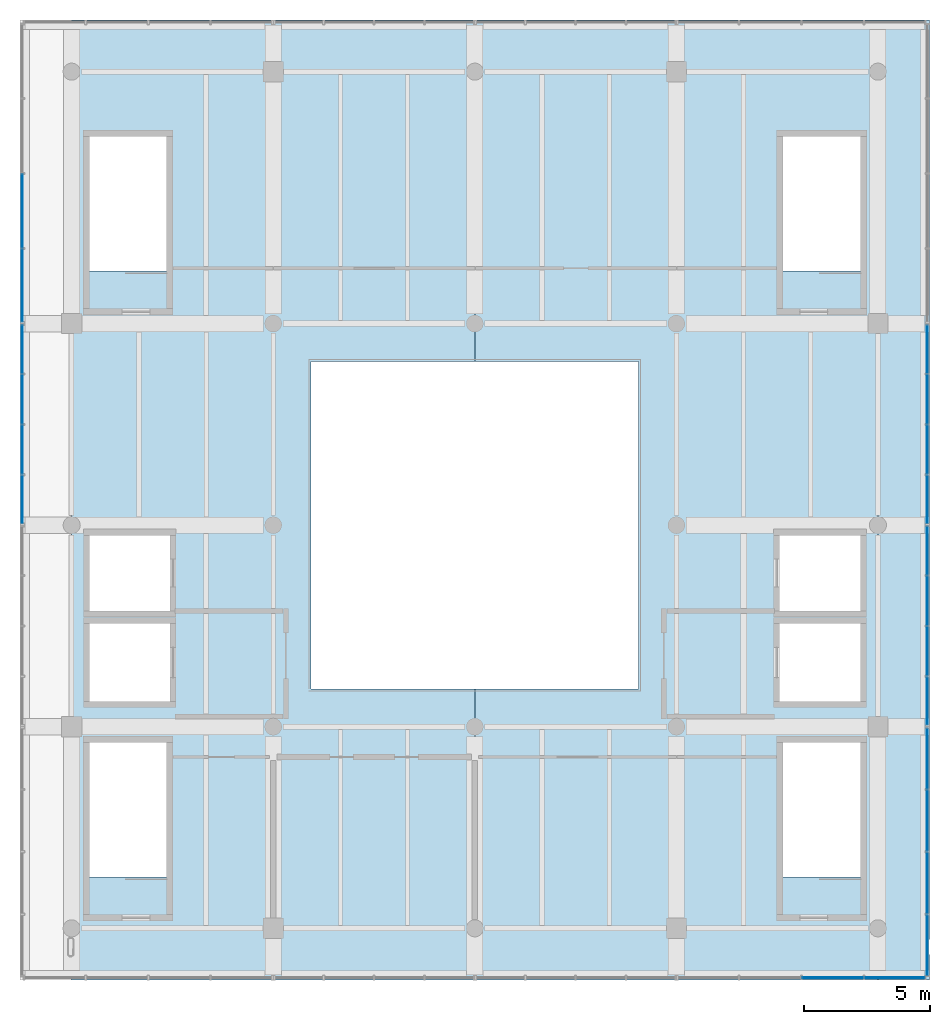
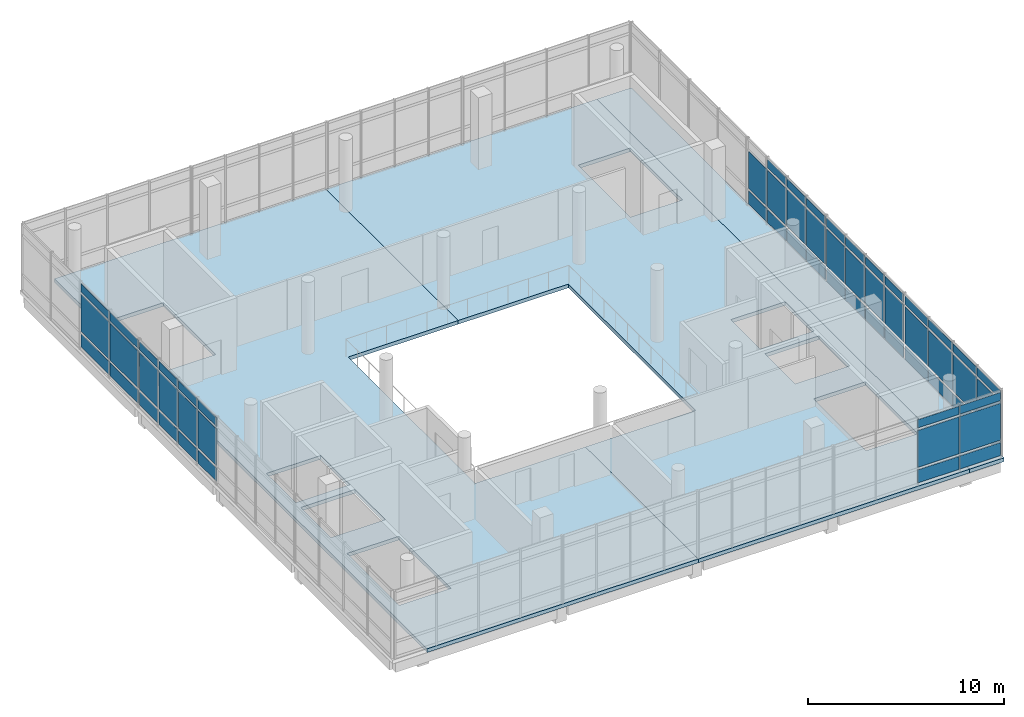
# One storey, part 11 of 15: 59 plates, 3 slabs, 6 elements without a shape of their own.
"""IFC4 building model written with IfcOpenShell, lengths in metres."""

import ifcopenshell
import ifcopenshell.guid

model = None  # the IFC model being written
_history = None  # IfcOwnerHistory: only IFC2X3 demands one
_inside = {}  # id of a spatial element -> (the spatial element, [elements in it])
_under = {}  # id of a project, library or spatial element -> (it, [spatial elements below it])
_declared = {}  # id of a project -> (the project, [libraries it declares])
_typed = {}  # id of a type object -> (the type object, [elements of that type])
_made_of = {}  # id of a material, layer set ... -> (it, [elements and type objects made of it])


def new_model(schema):
    """Start an empty IFC model of exactly this schema.

    Asked for "IFC4X3", IfcOpenShell would pick the latest addendum, in which some entities
    have other attributes; the version numbers below select the first issue.
    IFC2X3 requires an IfcOwnerHistory on every rooted entity: one is made here for all.
    """
    global model, _history
    if schema == "IFC4X3":
        model = ifcopenshell.file(schema_version=(4, 3, 0, 0))
    else:
        model = ifcopenshell.file(schema=schema)
    _inside.clear()
    _under.clear()
    _declared.clear()
    _typed.clear()
    _made_of.clear()
    _history = None
    if model.schema == "IFC2X3":
        org = make("IfcOrganization", Name="unknown")
        user = make(
            "IfcPersonAndOrganization",
            ThePerson=make("IfcPerson", FamilyName="unknown"),
            TheOrganization=org,
        )
        app = make(
            "IfcApplication",
            ApplicationDeveloper=org,
            Version="unknown",
            ApplicationFullName="unknown",
            ApplicationIdentifier="unknown",
        )
        _history = make(
            "IfcOwnerHistory",
            OwningUser=user,
            OwningApplication=app,
            ChangeAction="ADDED",
            CreationDate=0,
        )
    return model


def make(cls, **values):
    """One entity of the class cls with the attributes given. An attribute that is None is left unset."""
    return model.create_entity(
        cls, **{name: value for name, value in values.items() if value is not None}
    )


def rooted(cls, **values):
    """An entity with a GlobalId (a new one), such as an element, a storey or a relation."""
    return make(cls, GlobalId=ifcopenshell.guid.new(), OwnerHistory=_history, **values)


def si_unit(unit_type, name, prefix=None):
    """IfcSIUnit, for example si_unit("LENGTHUNIT", "METRE", prefix="MILLI")."""
    return make("IfcSIUnit", UnitType=unit_type, Prefix=prefix, Name=name)


def assignment(units):
    """IfcUnitAssignment: the units of a project."""
    return None if units is None else make("IfcUnitAssignment", Units=units)


def point(xyz):
    """IfcCartesianPoint."""
    return None if xyz is None else make("IfcCartesianPoint", Coordinates=xyz)


def direction(xyz):
    """IfcDirection."""
    return None if xyz is None else make("IfcDirection", DirectionRatios=xyz)


def frame(location, z_axis=None, x_axis=None):
    """IfcAxis2Placement3D, a coordinate frame: its origin and axes. An axis left out is left unset."""
    return make(
        "IfcAxis2Placement3D",
        Location=point(location),
        Axis=direction(z_axis),
        RefDirection=direction(x_axis),
    )


def frame_2d(location, x_axis=None):
    """IfcAxis2Placement2D, a coordinate frame in the plane: its origin and x axis."""
    return make(
        "IfcAxis2Placement2D", Location=point(location), RefDirection=direction(x_axis)
    )


def origin():
    """The frame at (0, 0, 0) with its axes left unset."""
    return frame((0.0, 0.0, 0.0))


def origin_2d():
    """The frame at (0, 0) in the plane with its x axis left unset."""
    return frame_2d((0.0, 0.0))


def place(relative_to, where):
    """IfcLocalPlacement: puts the frame where relative to a parent placement (None: the world)."""
    return make(
        "IfcLocalPlacement", PlacementRelTo=relative_to, RelativePlacement=where
    )


def context(
    kind, dimensions, precision=None, world=None, true_north=None, identifier=None
):
    """IfcGeometricRepresentationContext, for example the 3D "Model" context."""
    return make(
        "IfcGeometricRepresentationContext",
        ContextIdentifier=identifier,
        ContextType=kind,
        CoordinateSpaceDimension=dimensions,
        Precision=precision,
        WorldCoordinateSystem=world,
        TrueNorth=true_north,
    )


def subcontext(parent, identifier, kind, view, scale=None):
    """IfcGeometricRepresentationSubContext, for example "Body" below "Model"."""
    return make(
        "IfcGeometricRepresentationSubContext",
        ContextIdentifier=identifier,
        ContextType=kind,
        ParentContext=parent,
        TargetScale=scale,
        TargetView=view,
    )


def project(units=None, contexts=None):
    """IfcProject with its units and contexts."""
    return rooted(
        "IfcProject",
        Name="project",
        RepresentationContexts=contexts,
        UnitsInContext=assignment(units),
    )


def spatial(cls, under=None, at=None, **own):
    """A site, building, storey or space (cls), placed at a placement, below another one or the project."""
    s = rooted(cls, ObjectPlacement=at, **own)
    if under is not None:
        _under.setdefault(under.id(), (under, []))[1].append(s)
    return s


def polyline(points):
    """IfcPolyline through the points."""
    return make("IfcPolyline", Points=[point(p) for p in points])


def profile(cls, at=None, kind="AREA", **sizes):
    """A parametric profile (cls). Its sizes go by their IFC names, for example OverallWidth=200.0."""
    return make(cls, ProfileType=kind, Position=at, **sizes)


def rectangle(**sizes):
    """IfcRectangleProfileDef."""
    return profile("IfcRectangleProfileDef", **sizes)


def outline(outer, holes=None, kind="AREA"):
    """IfcArbitraryClosedProfileDef: a profile drawn as a closed curve; with holes, ...WithVoids."""
    if holes is None:
        return make("IfcArbitraryClosedProfileDef", ProfileType=kind, OuterCurve=outer)
    return make(
        "IfcArbitraryProfileDefWithVoids",
        ProfileType=kind,
        OuterCurve=outer,
        InnerCurves=holes,
    )


def extrude(swept, where, along, depth):
    """IfcExtrudedAreaSolid: the profile swept, set in the frame where, extruded along a direction by depth."""
    return make(
        "IfcExtrudedAreaSolid",
        SweptArea=swept,
        Position=where,
        ExtrudedDirection=direction(along),
        Depth=depth,
    )


def shape(context_of_items, identifier, shape_type, items):
    """IfcShapeRepresentation: the items that make up one representation, for example the "Body"."""
    return make(
        "IfcShapeRepresentation",
        ContextOfItems=context_of_items,
        RepresentationIdentifier=identifier,
        RepresentationType=shape_type,
        Items=items,
    )


def material(Name=None, Category=None):
    """IfcMaterial."""
    return make("IfcMaterial", Name=Name, Category=Category)


def layer(
    of_material, thickness, ventilated=None, Name=None, Category=None, Priority=None
):
    """IfcMaterialLayer: one layer of a wall or slab, of a material (None: an air gap)."""
    return make(
        "IfcMaterialLayer",
        Material=of_material,
        LayerThickness=thickness,
        IsVentilated=ventilated,
        Name=Name,
        Category=Category,
        Priority=Priority,
    )


def layer_set(layers, Name=None):
    """IfcMaterialLayerSet."""
    return make("IfcMaterialLayerSet", MaterialLayers=layers, LayerSetName=Name)


def made_of(thing, what):
    """Note that an element or type object is made of a material, layer set ...; save() writes the relation."""
    if what is not None:
        _made_of.setdefault(what.id(), (what, []))[1].append(thing)
    return thing


def type_object(cls, material=None, **own):
    """A type object (cls), such as IfcWallType, which elements share."""
    return made_of(rooted(cls, **own), material)


def element(
    cls,
    number,
    at=None,
    inside=None,
    cuts=None,
    type_object=None,
    material=None,
    context=None,
    identifier="Body",
    shape_type=None,
    held_by="IfcProductDefinitionShape",
    body=None,
    shapes=None,
    **own,
):
    """One element of the class cls, such as IfcWall. Its Tag is "e" and its number.

    at: its placement. inside: the storey or other place that contains it. cuts: it is an
    opening in that element (IfcRelVoidsElement). A single representation is given by context,
    identifier, shape_type and body (its items); several are given by shapes. held_by: the class
    of the entity that holds the representations. save() writes the other relations.
    """
    e = rooted(cls, Tag="e%d" % number, ObjectPlacement=at, **own)
    if body is not None:
        shapes = [shape(context, identifier, shape_type, body)]
    if shapes is not None:
        e.Representation = make(held_by, Representations=shapes)
    if inside is not None:
        _inside.setdefault(inside.id(), (inside, []))[1].append(e)
    if cuts is not None:
        rooted(
            "IfcRelVoidsElement", RelatingBuildingElement=cuts, RelatedOpeningElement=e
        )
    if type_object is not None:
        _typed.setdefault(type_object.id(), (type_object, []))[1].append(e)
    return made_of(e, material)


def aggregate(whole, parts):
    """IfcRelAggregates: a whole, such as a stair, and the parts it consists of."""
    return rooted("IfcRelAggregates", RelatingObject=whole, RelatedObjects=parts)


def save(model, path):
    """Write the relations noted so far, then the file.

    IfcRelAggregates (storeys below a building ...), IfcRelContainedInSpatialStructure (elements
    in a storey), IfcRelDefinesByType, IfcRelAssociatesMaterial and IfcRelDeclares: one each for
    every whole, place, type object, material and project.
    """
    for whole, parts in _under.values():
        aggregate(whole, parts)
    for where, things in _inside.values():
        rooted(
            "IfcRelContainedInSpatialStructure",
            RelatedElements=things,
            RelatingStructure=where,
        )
    for kind, things in _typed.values():
        rooted("IfcRelDefinesByType", RelatedObjects=things, RelatingType=kind)
    for what, things in _made_of.values():
        rooted("IfcRelAssociatesMaterial", RelatedObjects=things, RelatingMaterial=what)
    for by, libraries in _declared.values():
        rooted("IfcRelDeclares", RelatingContext=by, RelatedDefinitions=libraries)
    model.write(path)


model = new_model("IFC4")

# Units and contexts
model_context = context("Model", 3, precision=1e-05, world=origin(), true_north=direction((0.0, 1.0)))
body_context = subcontext(model_context, "Body", "Model", "MODEL_VIEW")
ifc_project = project(units=[si_unit("LENGTHUNIT", "METRE"), si_unit("AREAUNIT", "SQUARE_METRE"), si_unit("VOLUMEUNIT", "CUBIC_METRE"), si_unit("PLANEANGLEUNIT", "RADIAN"), si_unit("MASSUNIT", "GRAM", prefix="KILO")], contexts=[model_context])

# Site, building, storey
site_placement = place(None, origin())
site = spatial("IfcSite", under=ifc_project, at=site_placement, CompositionType="ELEMENT")
building_placement = place(site_placement, origin())
building = spatial("IfcBuilding", under=site, at=building_placement, Name="Pecanmere Concourse Central Library", CompositionType="ELEMENT")
storey_placement = place(building_placement, frame((0.0, 0.0, 30.300048828125)))
storey = spatial("IfcBuildingStorey", under=building, at=storey_placement, Name="L07", CompositionType="ELEMENT", Elevation=30.300048828125)

# Curtain wall, plates
ifc_material_1 = material(Name="Anodized bronze aluminium alloy 6063-T6", Category="aluminium")
curtain_wall_type = type_object("IfcCurtainWallType", Name="CW_PLUMB_BANDED", PredefinedType="USERDEFINED", material=ifc_material_1)
curtain_wall_1_placement = place(storey_placement, origin())
curtain_wall_1 = element("IfcCurtainWall", 1, at=curtain_wall_1_placement, inside=storey, type_object=curtain_wall_type, Name="Unitised Curtain Wall CW-02 L07-092", ObjectType="UNITISED CURTAIN WALL", PredefinedType="USERDEFINED")
ifc_material_2 = material(Name="White ceramic-fritted insulated spandrel glazing", Category="glass")
ifc_layer_1 = layer(ifc_material_2, 0.053955078125, Name="CWP_SPN_54")
ifc_layer_set_1 = layer_set([ifc_layer_1], Name="White ceramic-fritted insulated spandrel glazing")
plate_type_1 = type_object("IfcPlateType", Name="CWP_SPN_54", PredefinedType="CURTAIN_PANEL", material=ifc_layer_set_1)
plate_1_placement = place(storey_placement, frame((102.202880859375, 88.03857421875, 0.159912109375), z_axis=(0.0, 0.0, 1.0), x_axis=(1.0, 0.0, 0.0)))
plate_1 = element("IfcPlate", 2, at=plate_1_placement, type_object=plate_type_1, Name="CW-02 Spandrel Panel 3.1", PredefinedType="CURTAIN_PANEL", context=body_context, shape_type="SweptSolid", body=[
    extrude(rectangle(XDim=2.4140625, YDim=0.035888671875, at=origin_2d()), origin(), (0.0, 0.0, 1.0), 0.81005859375),
])
plate_2_placement = place(storey_placement, frame((104.665771484375, 88.03857421875, 0.159912109375), z_axis=(0.0, 0.0, 1.0), x_axis=(1.0, 0.0, 0.0)))
plate_2 = element("IfcPlate", 3, at=plate_2_placement, type_object=plate_type_1, Name="CW-02 Spandrel Panel 4.1", PredefinedType="CURTAIN_PANEL", context=body_context, shape_type="SweptSolid", body=[
    extrude(rectangle(XDim=2.381591796875, YDim=0.035888671875, at=origin_2d()), origin(), (0.0, 0.0, 1.0), 0.81005859375),
])

curtain_wall_2_placement = place(storey_placement, origin())
curtain_wall_2 = element("IfcCurtainWall", 4, at=curtain_wall_2_placement, inside=storey, type_object=curtain_wall_type, Name="Unitised Curtain Wall CW-02 L07-093", ObjectType="UNITISED CURTAIN WALL", PredefinedType="USERDEFINED")
plate_3_placement = place(storey_placement, frame((105.96142578125, 89.334228515625, 0.159912109375), z_axis=(0.0, 0.0, 1.0), x_axis=(0.0, 1.0, 0.0)))
plate_3 = element("IfcPlate", 5, at=plate_3_placement, type_object=plate_type_1, Name="CW-02 Spandrel Panel 1.1", PredefinedType="CURTAIN_PANEL", context=body_context, shape_type="SweptSolid", body=[
    extrude(rectangle(XDim=2.381591796875, YDim=0.035888671875, at=origin_2d()), origin(), (0.0, 0.0, 1.0), 0.81005859375),
])
plate_4_placement = place(storey_placement, frame((105.96142578125, 91.797119140625, 0.159912109375), z_axis=(0.0, 0.0, 1.0), x_axis=(0.0, 1.0, 0.0)))
plate_4 = element("IfcPlate", 6, at=plate_4_placement, type_object=plate_type_1, Name="CW-02 Spandrel Panel 2.1", PredefinedType="CURTAIN_PANEL", context=body_context, shape_type="SweptSolid", body=[
    extrude(rectangle(XDim=2.4140625, YDim=0.035888671875, at=origin_2d()), origin(), (0.0, 0.0, 1.0), 0.81005859375),
])
plate_5_placement = place(storey_placement, frame((105.96142578125, 94.2763671875, 0.159912109375), z_axis=(0.0, 0.0, 1.0), x_axis=(0.0, 1.0, 0.0)))
plate_5 = element("IfcPlate", 7, at=plate_5_placement, type_object=plate_type_1, Name="CW-02 Spandrel Panel 3.1", PredefinedType="CURTAIN_PANEL", context=body_context, shape_type="SweptSolid", body=[
    extrude(rectangle(XDim=2.4140625, YDim=0.035888671875, at=origin_2d()), origin(), (0.0, 0.0, 1.0), 0.81005859375),
])
plate_6_placement = place(storey_placement, frame((105.96142578125, 96.7392578125, 0.159912109375), z_axis=(0.0, 0.0, 1.0), x_axis=(0.0, 1.0, 0.0)))
plate_6 = element("IfcPlate", 8, at=plate_6_placement, type_object=plate_type_1, Name="CW-02 Spandrel Panel 4.1", PredefinedType="CURTAIN_PANEL", context=body_context, shape_type="SweptSolid", body=[
    extrude(rectangle(XDim=2.381591796875, YDim=0.035888671875, at=origin_2d()), origin(), (0.0, 0.0, 1.0), 0.81005859375),
])

curtain_wall_3_placement = place(storey_placement, origin())
curtain_wall_3 = element("IfcCurtainWall", 9, at=curtain_wall_3_placement, inside=storey, type_object=curtain_wall_type, Name="Unitised Curtain Wall CW-02 L07-094", ObjectType="UNITISED CURTAIN WALL", PredefinedType="USERDEFINED")
plate_7_placement = place(storey_placement, frame((105.96142578125, 99.02001953125, 0.159912109375), z_axis=(0.0, 0.0, 1.0), x_axis=(0.0, 1.0, 0.0)))
plate_7 = element("IfcPlate", 10, at=plate_7_placement, type_object=plate_type_1, Name="CW-02 Spandrel Panel 1.1", PredefinedType="CURTAIN_PANEL", context=body_context, shape_type="SweptSolid", body=[
    extrude(rectangle(XDim=1.89990234375, YDim=0.035888671875, at=origin_2d()), origin(), (0.0, 0.0, 1.0), 0.81005859375),
])
plate_8_placement = place(storey_placement, frame((105.96142578125, 101.001220703125, 0.159912109375), z_axis=(0.0, 0.0, 1.0), x_axis=(0.0, 1.0, 0.0)))
plate_8 = element("IfcPlate", 11, at=plate_8_placement, type_object=plate_type_1, Name="CW-02 Spandrel Panel 2.1", PredefinedType="CURTAIN_PANEL", context=body_context, shape_type="SweptSolid", body=[
    extrude(rectangle(XDim=1.9326171875, YDim=0.035888671875, at=origin_2d()), origin(), (0.0, 0.0, 1.0), 0.81005859375),
])
plate_9_placement = place(storey_placement, frame((105.96142578125, 102.998779296875, 0.159912109375), z_axis=(0.0, 0.0, 1.0), x_axis=(0.0, 1.0, 0.0)))
plate_9 = element("IfcPlate", 12, at=plate_9_placement, type_object=plate_type_1, Name="CW-02 Spandrel Panel 3.1", PredefinedType="CURTAIN_PANEL", context=body_context, shape_type="SweptSolid", body=[
    extrude(rectangle(XDim=1.9326171875, YDim=0.035888671875, at=origin_2d()), origin(), (0.0, 0.0, 1.0), 0.81005859375),
])
plate_10_placement = place(storey_placement, frame((105.96142578125, 104.97998046875, 0.159912109375), z_axis=(0.0, 0.0, 1.0), x_axis=(0.0, 1.0, 0.0)))
plate_10 = element("IfcPlate", 13, at=plate_10_placement, type_object=plate_type_1, Name="CW-02 Spandrel Panel 4.1", PredefinedType="CURTAIN_PANEL", context=body_context, shape_type="SweptSolid", body=[
    extrude(rectangle(XDim=1.89990234375, YDim=0.035888671875, at=origin_2d()), origin(), (0.0, 0.0, 1.0), 0.81005859375),
])

curtain_wall_4_placement = place(storey_placement, origin())
curtain_wall_4 = element("IfcCurtainWall", 14, at=curtain_wall_4_placement, inside=storey, type_object=curtain_wall_type, Name="Unitised Curtain Wall CW-02 L07-095", ObjectType="UNITISED CURTAIN WALL", PredefinedType="USERDEFINED")
plate_11_placement = place(storey_placement, frame((105.96142578125, 107.02001953125, 0.159912109375), z_axis=(0.0, 0.0, 1.0), x_axis=(0.0, 1.0, 0.0)))
plate_11 = element("IfcPlate", 15, at=plate_11_placement, type_object=plate_type_1, Name="CW-02 Spandrel Panel 1.1", PredefinedType="CURTAIN_PANEL", context=body_context, shape_type="SweptSolid", body=[
    extrude(rectangle(XDim=1.89990234375, YDim=0.035888671875, at=origin_2d()), origin(), (0.0, 0.0, 1.0), 0.81005859375),
])
plate_12_placement = place(storey_placement, frame((105.96142578125, 109.001220703125, 0.159912109375), z_axis=(0.0, 0.0, 1.0), x_axis=(0.0, 1.0, 0.0)))
plate_12 = element("IfcPlate", 16, at=plate_12_placement, type_object=plate_type_1, Name="CW-02 Spandrel Panel 2.1", PredefinedType="CURTAIN_PANEL", context=body_context, shape_type="SweptSolid", body=[
    extrude(rectangle(XDim=1.9326171875, YDim=0.035888671875, at=origin_2d()), origin(), (0.0, 0.0, 1.0), 0.81005859375),
])
plate_13_placement = place(storey_placement, frame((105.96142578125, 110.998779296875, 0.159912109375), z_axis=(0.0, 0.0, 1.0), x_axis=(0.0, 1.0, 0.0)))
plate_13 = element("IfcPlate", 17, at=plate_13_placement, type_object=plate_type_1, Name="CW-02 Spandrel Panel 3.1", PredefinedType="CURTAIN_PANEL", context=body_context, shape_type="SweptSolid", body=[
    extrude(rectangle(XDim=1.9326171875, YDim=0.035888671875, at=origin_2d()), origin(), (0.0, 0.0, 1.0), 0.81005859375),
])
plate_14_placement = place(storey_placement, frame((105.96142578125, 112.97998046875, 0.159912109375), z_axis=(0.0, 0.0, 1.0), x_axis=(0.0, 1.0, 0.0)))
plate_14 = element("IfcPlate", 18, at=plate_14_placement, type_object=plate_type_1, Name="CW-02 Spandrel Panel 4.1", PredefinedType="CURTAIN_PANEL", context=body_context, shape_type="SweptSolid", body=[
    extrude(rectangle(XDim=1.89990234375, YDim=0.035888671875, at=origin_2d()), origin(), (0.0, 0.0, 1.0), 0.81005859375),
])

curtain_wall_5_placement = place(storey_placement, origin())
curtain_wall_5 = element("IfcCurtainWall", 19, at=curtain_wall_5_placement, inside=storey, type_object=curtain_wall_type, Name="Unitised Curtain Wall CW-02 L07-097", ObjectType="UNITISED CURTAIN WALL", PredefinedType="USERDEFINED")
plate_15_placement = place(storey_placement, frame((70.03857421875, 118.4736328125, 0.159912109375), z_axis=(0.0, 0.0, 1.0), x_axis=(0.0, -1.0, 0.0)))
plate_15 = element("IfcPlate", 20, at=plate_15_placement, type_object=plate_type_1, Name="CW-02 Spandrel Panel 3.1", PredefinedType="CURTAIN_PANEL", context=body_context, shape_type="SweptSolid", body=[
    extrude(rectangle(XDim=2.9140625, YDim=0.035888671875, at=origin_2d()), origin(), (0.0, 0.0, 1.0), 0.81005859375),
])
plate_16_placement = place(storey_placement, frame((70.03857421875, 115.5107421875, 0.159912109375), z_axis=(0.0, 0.0, 1.0), x_axis=(0.0, -1.0, 0.0)))
plate_16 = element("IfcPlate", 21, at=plate_16_placement, type_object=plate_type_1, Name="CW-02 Spandrel Panel 4.1", PredefinedType="CURTAIN_PANEL", context=body_context, shape_type="SweptSolid", body=[
    extrude(rectangle(XDim=2.881591796875, YDim=0.035888671875, at=origin_2d()), origin(), (0.0, 0.0, 1.0), 0.81005859375),
])

curtain_wall_6_placement = place(storey_placement, origin())
curtain_wall_6 = element("IfcCurtainWall", 22, at=curtain_wall_6_placement, inside=storey, type_object=curtain_wall_type, Name="Unitised Curtain Wall CW-02 L07-098", ObjectType="UNITISED CURTAIN WALL", PredefinedType="USERDEFINED")
plate_17_placement = place(storey_placement, frame((70.03857421875, 112.97998046875, 0.159912109375), z_axis=(0.0, 0.0, 1.0), x_axis=(0.0, -1.0, 0.0)))
plate_17 = element("IfcPlate", 23, at=plate_17_placement, type_object=plate_type_1, Name="CW-02 Spandrel Panel 1.1", PredefinedType="CURTAIN_PANEL", context=body_context, shape_type="SweptSolid", body=[
    extrude(rectangle(XDim=1.89990234375, YDim=0.035888671875, at=origin_2d()), origin(), (0.0, 0.0, 1.0), 0.81005859375),
])
plate_18_placement = place(storey_placement, frame((70.03857421875, 110.998779296875, 0.159912109375), z_axis=(0.0, 0.0, 1.0), x_axis=(0.0, -1.0, 0.0)))
plate_18 = element("IfcPlate", 24, at=plate_18_placement, type_object=plate_type_1, Name="CW-02 Spandrel Panel 2.1", PredefinedType="CURTAIN_PANEL", context=body_context, shape_type="SweptSolid", body=[
    extrude(rectangle(XDim=1.9326171875, YDim=0.035888671875, at=origin_2d()), origin(), (0.0, 0.0, 1.0), 0.81005859375),
])
plate_19_placement = place(storey_placement, frame((70.03857421875, 109.001220703125, 0.159912109375), z_axis=(0.0, 0.0, 1.0), x_axis=(0.0, -1.0, 0.0)))
plate_19 = element("IfcPlate", 25, at=plate_19_placement, type_object=plate_type_1, Name="CW-02 Spandrel Panel 3.1", PredefinedType="CURTAIN_PANEL", context=body_context, shape_type="SweptSolid", body=[
    extrude(rectangle(XDim=1.9326171875, YDim=0.035888671875, at=origin_2d()), origin(), (0.0, 0.0, 1.0), 0.81005859375),
])
plate_20_placement = place(storey_placement, frame((70.03857421875, 107.02001953125, 0.159912109375), z_axis=(0.0, 0.0, 1.0), x_axis=(0.0, -1.0, 0.0)))
plate_20 = element("IfcPlate", 26, at=plate_20_placement, type_object=plate_type_1, Name="CW-02 Spandrel Panel 4.1", PredefinedType="CURTAIN_PANEL", context=body_context, shape_type="SweptSolid", body=[
    extrude(rectangle(XDim=1.89990234375, YDim=0.035888671875, at=origin_2d()), origin(), (0.0, 0.0, 1.0), 0.81005859375),
])

# Plate
ifc_material_3 = material(Name="Low-iron clear insulated glazing", Category="glass")
ifc_layer_2 = layer(ifc_material_3, 0.035888671875, Name="CWP_VIS_36")
ifc_layer_set_2 = layer_set([ifc_layer_2], Name="Low-iron clear insulated glazing")
plate_type_2 = type_object("IfcPlateType", Name="CWP_VIS_36", PredefinedType="CURTAIN_PANEL", material=ifc_layer_set_2)
plate_21_placement = place(storey_placement, frame((102.202880859375, 88.03857421875, 1.1298828125), z_axis=(0.0, 0.0, 1.0), x_axis=(1.0, 0.0, 0.0)))
plate_21 = element("IfcPlate", 27, at=plate_21_placement, type_object=plate_type_2, Name="CW-02 Vision Panel 3.2", PredefinedType="CURTAIN_PANEL", context=body_context, shape_type="SweptSolid", body=[
    extrude(rectangle(XDim=2.4140625, YDim=0.035888671875, at=origin_2d()), origin(), (0.0, 0.0, 1.0), 2.300048828125),
])

plate_22_placement = place(storey_placement, frame((102.202880859375, 88.03857421875, 3.58984375), z_axis=(0.0, 0.0, 1.0), x_axis=(1.0, 0.0, 0.0)))
plate_22 = element("IfcPlate", 28, at=plate_22_placement, type_object=plate_type_2, Name="CW-02 Vision Panel 3.3", PredefinedType="CURTAIN_PANEL", context=body_context, shape_type="SweptSolid", body=[
    extrude(rectangle(XDim=2.4140625, YDim=0.035888671875, at=origin_2d()), origin(), (0.0, 0.0, 1.0), 0.510009765625),
])

plate_23_placement = place(storey_placement, frame((104.665771484375, 88.03857421875, 1.1298828125), z_axis=(0.0, 0.0, 1.0), x_axis=(1.0, 0.0, 0.0)))
plate_23 = element("IfcPlate", 29, at=plate_23_placement, type_object=plate_type_2, Name="CW-02 Vision Panel 4.2", PredefinedType="CURTAIN_PANEL", context=body_context, shape_type="SweptSolid", body=[
    extrude(rectangle(XDim=2.381591796875, YDim=0.035888671875, at=origin_2d()), origin(), (0.0, 0.0, 1.0), 2.300048828125),
])

plate_24_placement = place(storey_placement, frame((104.665771484375, 88.03857421875, 3.58984375), z_axis=(0.0, 0.0, 1.0), x_axis=(1.0, 0.0, 0.0)))
plate_24 = element("IfcPlate", 30, at=plate_24_placement, type_object=plate_type_2, Name="CW-02 Vision Panel 4.3", PredefinedType="CURTAIN_PANEL", context=body_context, shape_type="SweptSolid", body=[
    extrude(rectangle(XDim=2.381591796875, YDim=0.035888671875, at=origin_2d()), origin(), (0.0, 0.0, 1.0), 0.510009765625),
])

aggregate(curtain_wall_1, [plate_1, plate_21, plate_22, plate_2, plate_23, plate_24])

plate_25_placement = place(storey_placement, frame((105.96142578125, 89.334228515625, 1.1298828125), z_axis=(0.0, 0.0, 1.0), x_axis=(0.0, 1.0, 0.0)))
plate_25 = element("IfcPlate", 31, at=plate_25_placement, type_object=plate_type_2, Name="CW-02 Vision Panel 1.2", PredefinedType="CURTAIN_PANEL", context=body_context, shape_type="SweptSolid", body=[
    extrude(rectangle(XDim=2.381591796875, YDim=0.035888671875, at=origin_2d()), origin(), (0.0, 0.0, 1.0), 2.300048828125),
])

plate_26_placement = place(storey_placement, frame((105.96142578125, 89.334228515625, 3.58984375), z_axis=(0.0, 0.0, 1.0), x_axis=(0.0, 1.0, 0.0)))
plate_26 = element("IfcPlate", 32, at=plate_26_placement, type_object=plate_type_2, Name="CW-02 Vision Panel 1.3", PredefinedType="CURTAIN_PANEL", context=body_context, shape_type="SweptSolid", body=[
    extrude(rectangle(XDim=2.381591796875, YDim=0.035888671875, at=origin_2d()), origin(), (0.0, 0.0, 1.0), 0.510009765625),
])

plate_27_placement = place(storey_placement, frame((105.96142578125, 91.797119140625, 1.1298828125), z_axis=(0.0, 0.0, 1.0), x_axis=(0.0, 1.0, 0.0)))
plate_27 = element("IfcPlate", 33, at=plate_27_placement, type_object=plate_type_2, Name="CW-02 Vision Panel 2.2", PredefinedType="CURTAIN_PANEL", context=body_context, shape_type="SweptSolid", body=[
    extrude(rectangle(XDim=2.4140625, YDim=0.035888671875, at=origin_2d()), origin(), (0.0, 0.0, 1.0), 2.300048828125),
])

plate_28_placement = place(storey_placement, frame((105.96142578125, 91.797119140625, 3.58984375), z_axis=(0.0, 0.0, 1.0), x_axis=(0.0, 1.0, 0.0)))
plate_28 = element("IfcPlate", 34, at=plate_28_placement, type_object=plate_type_2, Name="CW-02 Vision Panel 2.3", PredefinedType="CURTAIN_PANEL", context=body_context, shape_type="SweptSolid", body=[
    extrude(rectangle(XDim=2.4140625, YDim=0.035888671875, at=origin_2d()), origin(), (0.0, 0.0, 1.0), 0.510009765625),
])

plate_29_placement = place(storey_placement, frame((105.96142578125, 94.2763671875, 1.1298828125), z_axis=(0.0, 0.0, 1.0), x_axis=(0.0, 1.0, 0.0)))
plate_29 = element("IfcPlate", 35, at=plate_29_placement, type_object=plate_type_2, Name="CW-02 Vision Panel 3.2", PredefinedType="CURTAIN_PANEL", context=body_context, shape_type="SweptSolid", body=[
    extrude(rectangle(XDim=2.4140625, YDim=0.035888671875, at=origin_2d()), origin(), (0.0, 0.0, 1.0), 2.300048828125),
])

plate_30_placement = place(storey_placement, frame((105.96142578125, 94.2763671875, 3.58984375), z_axis=(0.0, 0.0, 1.0), x_axis=(0.0, 1.0, 0.0)))
plate_30 = element("IfcPlate", 36, at=plate_30_placement, type_object=plate_type_2, Name="CW-02 Vision Panel 3.3", PredefinedType="CURTAIN_PANEL", context=body_context, shape_type="SweptSolid", body=[
    extrude(rectangle(XDim=2.4140625, YDim=0.035888671875, at=origin_2d()), origin(), (0.0, 0.0, 1.0), 0.510009765625),
])

plate_31_placement = place(storey_placement, frame((105.96142578125, 96.7392578125, 1.1298828125), z_axis=(0.0, 0.0, 1.0), x_axis=(0.0, 1.0, 0.0)))
plate_31 = element("IfcPlate", 37, at=plate_31_placement, type_object=plate_type_2, Name="CW-02 Vision Panel 4.2", PredefinedType="CURTAIN_PANEL", context=body_context, shape_type="SweptSolid", body=[
    extrude(rectangle(XDim=2.381591796875, YDim=0.035888671875, at=origin_2d()), origin(), (0.0, 0.0, 1.0), 2.300048828125),
])

plate_32_placement = place(storey_placement, frame((105.96142578125, 96.7392578125, 3.58984375), z_axis=(0.0, 0.0, 1.0), x_axis=(0.0, 1.0, 0.0)))
plate_32 = element("IfcPlate", 38, at=plate_32_placement, type_object=plate_type_2, Name="CW-02 Vision Panel 4.3", PredefinedType="CURTAIN_PANEL", context=body_context, shape_type="SweptSolid", body=[
    extrude(rectangle(XDim=2.381591796875, YDim=0.035888671875, at=origin_2d()), origin(), (0.0, 0.0, 1.0), 0.510009765625),
])

aggregate(curtain_wall_2, [plate_3, plate_25, plate_26, plate_4, plate_27, plate_28, plate_5, plate_29, plate_30, plate_6, plate_31, plate_32])

plate_33_placement = place(storey_placement, frame((105.96142578125, 99.02001953125, 1.1298828125), z_axis=(0.0, 0.0, 1.0), x_axis=(0.0, 1.0, 0.0)))
plate_33 = element("IfcPlate", 39, at=plate_33_placement, type_object=plate_type_2, Name="CW-02 Vision Panel 1.2", PredefinedType="CURTAIN_PANEL", context=body_context, shape_type="SweptSolid", body=[
    extrude(rectangle(XDim=1.89990234375, YDim=0.035888671875, at=origin_2d()), origin(), (0.0, 0.0, 1.0), 2.300048828125),
])

plate_34_placement = place(storey_placement, frame((105.96142578125, 99.02001953125, 3.58984375), z_axis=(0.0, 0.0, 1.0), x_axis=(0.0, 1.0, 0.0)))
plate_34 = element("IfcPlate", 40, at=plate_34_placement, type_object=plate_type_2, Name="CW-02 Vision Panel 1.3", PredefinedType="CURTAIN_PANEL", context=body_context, shape_type="SweptSolid", body=[
    extrude(rectangle(XDim=1.89990234375, YDim=0.035888671875, at=origin_2d()), origin(), (0.0, 0.0, 1.0), 0.510009765625),
])

plate_35_placement = place(storey_placement, frame((105.96142578125, 101.001220703125, 1.1298828125), z_axis=(0.0, 0.0, 1.0), x_axis=(0.0, 1.0, 0.0)))
plate_35 = element("IfcPlate", 41, at=plate_35_placement, type_object=plate_type_2, Name="CW-02 Vision Panel 2.2", PredefinedType="CURTAIN_PANEL", context=body_context, shape_type="SweptSolid", body=[
    extrude(rectangle(XDim=1.9326171875, YDim=0.035888671875, at=origin_2d()), origin(), (0.0, 0.0, 1.0), 2.300048828125),
])

plate_36_placement = place(storey_placement, frame((105.96142578125, 101.001220703125, 3.58984375), z_axis=(0.0, 0.0, 1.0), x_axis=(0.0, 1.0, 0.0)))
plate_36 = element("IfcPlate", 42, at=plate_36_placement, type_object=plate_type_2, Name="CW-02 Vision Panel 2.3", PredefinedType="CURTAIN_PANEL", context=body_context, shape_type="SweptSolid", body=[
    extrude(rectangle(XDim=1.9326171875, YDim=0.035888671875, at=origin_2d()), origin(), (0.0, 0.0, 1.0), 0.510009765625),
])

plate_37_placement = place(storey_placement, frame((105.96142578125, 102.998779296875, 1.1298828125), z_axis=(0.0, 0.0, 1.0), x_axis=(0.0, 1.0, 0.0)))
plate_37 = element("IfcPlate", 43, at=plate_37_placement, type_object=plate_type_2, Name="CW-02 Vision Panel 3.2", PredefinedType="CURTAIN_PANEL", context=body_context, shape_type="SweptSolid", body=[
    extrude(rectangle(XDim=1.9326171875, YDim=0.035888671875, at=origin_2d()), origin(), (0.0, 0.0, 1.0), 2.300048828125),
])

plate_38_placement = place(storey_placement, frame((105.96142578125, 102.998779296875, 3.58984375), z_axis=(0.0, 0.0, 1.0), x_axis=(0.0, 1.0, 0.0)))
plate_38 = element("IfcPlate", 44, at=plate_38_placement, type_object=plate_type_2, Name="CW-02 Vision Panel 3.3", PredefinedType="CURTAIN_PANEL", context=body_context, shape_type="SweptSolid", body=[
    extrude(rectangle(XDim=1.9326171875, YDim=0.035888671875, at=origin_2d()), origin(), (0.0, 0.0, 1.0), 0.510009765625),
])

plate_39_placement = place(storey_placement, frame((105.96142578125, 104.97998046875, 1.1298828125), z_axis=(0.0, 0.0, 1.0), x_axis=(0.0, 1.0, 0.0)))
plate_39 = element("IfcPlate", 45, at=plate_39_placement, type_object=plate_type_2, Name="CW-02 Vision Panel 4.2", PredefinedType="CURTAIN_PANEL", context=body_context, shape_type="SweptSolid", body=[
    extrude(rectangle(XDim=1.89990234375, YDim=0.035888671875, at=origin_2d()), origin(), (0.0, 0.0, 1.0), 2.300048828125),
])

plate_40_placement = place(storey_placement, frame((105.96142578125, 104.97998046875, 3.58984375), z_axis=(0.0, 0.0, 1.0), x_axis=(0.0, 1.0, 0.0)))
plate_40 = element("IfcPlate", 46, at=plate_40_placement, type_object=plate_type_2, Name="CW-02 Vision Panel 4.3", PredefinedType="CURTAIN_PANEL", context=body_context, shape_type="SweptSolid", body=[
    extrude(rectangle(XDim=1.89990234375, YDim=0.035888671875, at=origin_2d()), origin(), (0.0, 0.0, 1.0), 0.510009765625),
])

aggregate(curtain_wall_3, [plate_7, plate_33, plate_34, plate_8, plate_35, plate_36, plate_9, plate_37, plate_38, plate_10, plate_39, plate_40])

plate_41_placement = place(storey_placement, frame((105.96142578125, 107.02001953125, 1.1298828125), z_axis=(0.0, 0.0, 1.0), x_axis=(0.0, 1.0, 0.0)))
plate_41 = element("IfcPlate", 47, at=plate_41_placement, type_object=plate_type_2, Name="CW-02 Vision Panel 1.2", PredefinedType="CURTAIN_PANEL", context=body_context, shape_type="SweptSolid", body=[
    extrude(rectangle(XDim=1.89990234375, YDim=0.035888671875, at=origin_2d()), origin(), (0.0, 0.0, 1.0), 2.300048828125),
])

plate_42_placement = place(storey_placement, frame((105.96142578125, 107.02001953125, 3.58984375), z_axis=(0.0, 0.0, 1.0), x_axis=(0.0, 1.0, 0.0)))
plate_42 = element("IfcPlate", 48, at=plate_42_placement, type_object=plate_type_2, Name="CW-02 Vision Panel 1.3", PredefinedType="CURTAIN_PANEL", context=body_context, shape_type="SweptSolid", body=[
    extrude(rectangle(XDim=1.89990234375, YDim=0.035888671875, at=origin_2d()), origin(), (0.0, 0.0, 1.0), 0.510009765625),
])

plate_43_placement = place(storey_placement, frame((105.96142578125, 109.001220703125, 1.1298828125), z_axis=(0.0, 0.0, 1.0), x_axis=(0.0, 1.0, 0.0)))
plate_43 = element("IfcPlate", 49, at=plate_43_placement, type_object=plate_type_2, Name="CW-02 Vision Panel 2.2", PredefinedType="CURTAIN_PANEL", context=body_context, shape_type="SweptSolid", body=[
    extrude(rectangle(XDim=1.9326171875, YDim=0.035888671875, at=origin_2d()), origin(), (0.0, 0.0, 1.0), 2.300048828125),
])

plate_44_placement = place(storey_placement, frame((105.96142578125, 109.001220703125, 3.58984375), z_axis=(0.0, 0.0, 1.0), x_axis=(0.0, 1.0, 0.0)))
plate_44 = element("IfcPlate", 50, at=plate_44_placement, type_object=plate_type_2, Name="CW-02 Vision Panel 2.3", PredefinedType="CURTAIN_PANEL", context=body_context, shape_type="SweptSolid", body=[
    extrude(rectangle(XDim=1.9326171875, YDim=0.035888671875, at=origin_2d()), origin(), (0.0, 0.0, 1.0), 0.510009765625),
])

plate_45_placement = place(storey_placement, frame((105.96142578125, 110.998779296875, 1.1298828125), z_axis=(0.0, 0.0, 1.0), x_axis=(0.0, 1.0, 0.0)))
plate_45 = element("IfcPlate", 51, at=plate_45_placement, type_object=plate_type_2, Name="CW-02 Vision Panel 3.2", PredefinedType="CURTAIN_PANEL", context=body_context, shape_type="SweptSolid", body=[
    extrude(rectangle(XDim=1.9326171875, YDim=0.035888671875, at=origin_2d()), origin(), (0.0, 0.0, 1.0), 2.300048828125),
])

plate_46_placement = place(storey_placement, frame((105.96142578125, 110.998779296875, 3.58984375), z_axis=(0.0, 0.0, 1.0), x_axis=(0.0, 1.0, 0.0)))
plate_46 = element("IfcPlate", 52, at=plate_46_placement, type_object=plate_type_2, Name="CW-02 Vision Panel 3.3", PredefinedType="CURTAIN_PANEL", context=body_context, shape_type="SweptSolid", body=[
    extrude(rectangle(XDim=1.9326171875, YDim=0.035888671875, at=origin_2d()), origin(), (0.0, 0.0, 1.0), 0.510009765625),
])

plate_47_placement = place(storey_placement, frame((105.96142578125, 112.97998046875, 1.1298828125), z_axis=(0.0, 0.0, 1.0), x_axis=(0.0, 1.0, 0.0)))
plate_47 = element("IfcPlate", 53, at=plate_47_placement, type_object=plate_type_2, Name="CW-02 Vision Panel 4.2", PredefinedType="CURTAIN_PANEL", context=body_context, shape_type="SweptSolid", body=[
    extrude(rectangle(XDim=1.89990234375, YDim=0.035888671875, at=origin_2d()), origin(), (0.0, 0.0, 1.0), 2.300048828125),
])

aggregate(curtain_wall_4, [plate_11, plate_41, plate_42, plate_12, plate_43, plate_44, plate_13, plate_45, plate_46, plate_14, plate_47])

plate_48_placement = place(storey_placement, frame((70.03857421875, 118.4736328125, 1.1298828125), z_axis=(0.0, 0.0, 1.0), x_axis=(0.0, -1.0, 0.0)))
plate_48 = element("IfcPlate", 54, at=plate_48_placement, type_object=plate_type_2, Name="CW-02 Vision Panel 3.2", PredefinedType="CURTAIN_PANEL", context=body_context, shape_type="SweptSolid", body=[
    extrude(rectangle(XDim=2.9140625, YDim=0.035888671875, at=origin_2d()), origin(), (0.0, 0.0, 1.0), 2.300048828125),
])

plate_49_placement = place(storey_placement, frame((70.03857421875, 118.4736328125, 3.58984375), z_axis=(0.0, 0.0, 1.0), x_axis=(0.0, -1.0, 0.0)))
plate_49 = element("IfcPlate", 55, at=plate_49_placement, type_object=plate_type_2, Name="CW-02 Vision Panel 3.3", PredefinedType="CURTAIN_PANEL", context=body_context, shape_type="SweptSolid", body=[
    extrude(rectangle(XDim=2.9140625, YDim=0.035888671875, at=origin_2d()), origin(), (0.0, 0.0, 1.0), 0.510009765625),
])

plate_50_placement = place(storey_placement, frame((70.03857421875, 115.5107421875, 1.1298828125), z_axis=(0.0, 0.0, 1.0), x_axis=(0.0, -1.0, 0.0)))
plate_50 = element("IfcPlate", 56, at=plate_50_placement, type_object=plate_type_2, Name="CW-02 Vision Panel 4.2", PredefinedType="CURTAIN_PANEL", context=body_context, shape_type="SweptSolid", body=[
    extrude(rectangle(XDim=2.881591796875, YDim=0.035888671875, at=origin_2d()), origin(), (0.0, 0.0, 1.0), 2.300048828125),
])

plate_51_placement = place(storey_placement, frame((70.03857421875, 115.5107421875, 3.58984375), z_axis=(0.0, 0.0, 1.0), x_axis=(0.0, -1.0, 0.0)))
plate_51 = element("IfcPlate", 57, at=plate_51_placement, type_object=plate_type_2, Name="CW-02 Vision Panel 4.3", PredefinedType="CURTAIN_PANEL", context=body_context, shape_type="SweptSolid", body=[
    extrude(rectangle(XDim=2.881591796875, YDim=0.035888671875, at=origin_2d()), origin(), (0.0, 0.0, 1.0), 0.510009765625),
])

aggregate(curtain_wall_5, [plate_15, plate_48, plate_49, plate_16, plate_50, plate_51])

plate_52_placement = place(storey_placement, frame((70.03857421875, 112.97998046875, 1.1298828125), z_axis=(0.0, 0.0, 1.0), x_axis=(0.0, -1.0, 0.0)))
plate_52 = element("IfcPlate", 58, at=plate_52_placement, type_object=plate_type_2, Name="CW-02 Vision Panel 1.2", PredefinedType="CURTAIN_PANEL", context=body_context, shape_type="SweptSolid", body=[
    extrude(rectangle(XDim=1.89990234375, YDim=0.035888671875, at=origin_2d()), origin(), (0.0, 0.0, 1.0), 2.300048828125),
])

plate_53_placement = place(storey_placement, frame((70.03857421875, 112.97998046875, 3.58984375), z_axis=(0.0, 0.0, 1.0), x_axis=(0.0, -1.0, 0.0)))
plate_53 = element("IfcPlate", 59, at=plate_53_placement, type_object=plate_type_2, Name="CW-02 Vision Panel 1.3", PredefinedType="CURTAIN_PANEL", context=body_context, shape_type="SweptSolid", body=[
    extrude(rectangle(XDim=1.89990234375, YDim=0.035888671875, at=origin_2d()), origin(), (0.0, 0.0, 1.0), 0.510009765625),
])

plate_54_placement = place(storey_placement, frame((70.03857421875, 110.998779296875, 1.1298828125), z_axis=(0.0, 0.0, 1.0), x_axis=(0.0, -1.0, 0.0)))
plate_54 = element("IfcPlate", 60, at=plate_54_placement, type_object=plate_type_2, Name="CW-02 Vision Panel 2.2", PredefinedType="CURTAIN_PANEL", context=body_context, shape_type="SweptSolid", body=[
    extrude(rectangle(XDim=1.9326171875, YDim=0.035888671875, at=origin_2d()), origin(), (0.0, 0.0, 1.0), 2.300048828125),
])

plate_55_placement = place(storey_placement, frame((70.03857421875, 110.998779296875, 3.58984375), z_axis=(0.0, 0.0, 1.0), x_axis=(0.0, -1.0, 0.0)))
plate_55 = element("IfcPlate", 61, at=plate_55_placement, type_object=plate_type_2, Name="CW-02 Vision Panel 2.3", PredefinedType="CURTAIN_PANEL", context=body_context, shape_type="SweptSolid", body=[
    extrude(rectangle(XDim=1.9326171875, YDim=0.035888671875, at=origin_2d()), origin(), (0.0, 0.0, 1.0), 0.510009765625),
])

plate_56_placement = place(storey_placement, frame((70.03857421875, 109.001220703125, 1.1298828125), z_axis=(0.0, 0.0, 1.0), x_axis=(0.0, -1.0, 0.0)))
plate_56 = element("IfcPlate", 62, at=plate_56_placement, type_object=plate_type_2, Name="CW-02 Vision Panel 3.2", PredefinedType="CURTAIN_PANEL", context=body_context, shape_type="SweptSolid", body=[
    extrude(rectangle(XDim=1.9326171875, YDim=0.035888671875, at=origin_2d()), origin(), (0.0, 0.0, 1.0), 2.300048828125),
])

plate_57_placement = place(storey_placement, frame((70.03857421875, 109.001220703125, 3.58984375), z_axis=(0.0, 0.0, 1.0), x_axis=(0.0, -1.0, 0.0)))
plate_57 = element("IfcPlate", 63, at=plate_57_placement, type_object=plate_type_2, Name="CW-02 Vision Panel 3.3", PredefinedType="CURTAIN_PANEL", context=body_context, shape_type="SweptSolid", body=[
    extrude(rectangle(XDim=1.9326171875, YDim=0.035888671875, at=origin_2d()), origin(), (0.0, 0.0, 1.0), 0.510009765625),
])

plate_58_placement = place(storey_placement, frame((70.03857421875, 107.02001953125, 1.1298828125), z_axis=(0.0, 0.0, 1.0), x_axis=(0.0, -1.0, 0.0)))
plate_58 = element("IfcPlate", 64, at=plate_58_placement, type_object=plate_type_2, Name="CW-02 Vision Panel 4.2", PredefinedType="CURTAIN_PANEL", context=body_context, shape_type="SweptSolid", body=[
    extrude(rectangle(XDim=1.89990234375, YDim=0.035888671875, at=origin_2d()), origin(), (0.0, 0.0, 1.0), 2.300048828125),
])

plate_59_placement = place(storey_placement, frame((70.03857421875, 107.02001953125, 3.58984375), z_axis=(0.0, 0.0, 1.0), x_axis=(0.0, -1.0, 0.0)))
plate_59 = element("IfcPlate", 65, at=plate_59_placement, type_object=plate_type_2, Name="CW-02 Vision Panel 4.3", PredefinedType="CURTAIN_PANEL", context=body_context, shape_type="SweptSolid", body=[
    extrude(rectangle(XDim=1.89990234375, YDim=0.035888671875, at=origin_2d()), origin(), (0.0, 0.0, 1.0), 0.510009765625),
])

aggregate(curtain_wall_6, [plate_17, plate_52, plate_53, plate_18, plate_54, plate_55, plate_19, plate_56, plate_57, plate_20, plate_58, plate_59])

# Slabs
ifc_material_4 = material(Name="Concrete C35/45", Category="concrete")
ifc_layer_3 = layer(ifc_material_4, 0.22998046875, Name="SLAB_GALL_230")
ifc_layer_set_3 = layer_set([ifc_layer_3], Name="Concrete C35/45")
slab_type = type_object("IfcSlabType", Name="SLAB_GALL_230", PredefinedType="FLOOR", material=ifc_layer_set_3)
slab_1_placement = place(storey_placement, frame((0.0, 0.0, -0.22998046875)))
element("IfcSlab", 66, at=slab_1_placement, inside=storey, type_object=slab_type, Name="Floor Slab V1 L07-145", PredefinedType="FLOOR", context=body_context, shape_type="SweptSolid", body=[
    extrude(outline(polyline([(72.0, 87.95849609375), (72.0, 126.04150390625), (88.0, 126.04150390625), (88.0, 112.5), (81.5, 112.5), (81.5, 99.5), (88.0, 99.5), (88.0, 87.95849609375), (72.0, 87.95849609375)]), holes=[polyline([(72.699951171875, 97.3701171875), (72.699951171875, 92.030029296875), (75.760009765625, 92.030029296875), (75.760009765625, 97.3701171875), (72.699951171875, 97.3701171875)]), polyline([(72.699951171875, 102.10009765625), (72.699951171875, 99.0), (75.89990234375, 99.0), (75.89990234375, 102.10009765625), (72.699951171875, 102.10009765625)]), polyline([(72.699951171875, 105.60009765625), (72.699951171875, 102.60009765625), (75.89990234375, 102.60009765625), (75.89990234375, 105.60009765625), (72.699951171875, 105.60009765625)]), polyline([(75.760009765625, 121.419921875), (72.699951171875, 121.419921875), (72.699951171875, 116.080078125), (75.760009765625, 116.080078125), (75.760009765625, 121.419921875)])]), origin(), (0.0, 0.0, 1.0), 0.22998046875),
])
slab_2_placement = place(storey_placement, frame((0.0, 0.0, -0.22998046875)))
element("IfcSlab", 67, at=slab_2_placement, inside=storey, type_object=slab_type, Name="Floor Slab V1 L07-146", PredefinedType="FLOOR", context=body_context, shape_type="SweptSolid", body=[
    extrude(outline(polyline([(88.0, 87.95849609375), (88.0, 99.5), (94.5, 99.5), (94.5, 112.5), (88.0, 112.5), (88.0, 126.04150390625), (104.0, 126.04150390625), (104.0, 87.95849609375), (88.0, 87.95849609375)]), holes=[polyline([(100.239990234375, 97.3701171875), (100.239990234375, 92.030029296875), (103.300048828125, 92.030029296875), (103.300048828125, 97.3701171875), (100.239990234375, 97.3701171875)]), polyline([(100.10009765625, 102.10009765625), (100.10009765625, 99.0), (103.300048828125, 99.0), (103.300048828125, 102.10009765625), (100.10009765625, 102.10009765625)]), polyline([(100.10009765625, 105.60009765625), (100.10009765625, 102.60009765625), (103.300048828125, 102.60009765625), (103.300048828125, 105.60009765625), (100.10009765625, 105.60009765625)]), polyline([(103.300048828125, 121.419921875), (100.239990234375, 121.419921875), (100.239990234375, 116.080078125), (103.300048828125, 116.080078125), (103.300048828125, 121.419921875)])]), origin(), (0.0, 0.0, 1.0), 0.22998046875),
])
slab_3_placement = place(storey_placement, frame((0.0, 0.0, -0.22998046875)))
element("IfcSlab", 68, at=slab_3_placement, inside=storey, type_object=slab_type, Name="Floor Slab V1 L07-147", PredefinedType="FLOOR", context=body_context, shape_type="SweptSolid", body=[
    extrude(outline(polyline([(104.0, 126.04150390625), (106.04150390625, 126.04150390625), (106.04150390625, 89.55859375), (105.96142578125, 89.55859375), (105.96142578125, 88.95849609375), (106.04150390625, 88.95849609375), (106.04150390625, 87.95849609375), (104.0, 87.95849609375), (104.0, 126.04150390625)])), origin(), (0.0, 0.0, 1.0), 0.22998046875),
])

save(model, "model.ifc")
